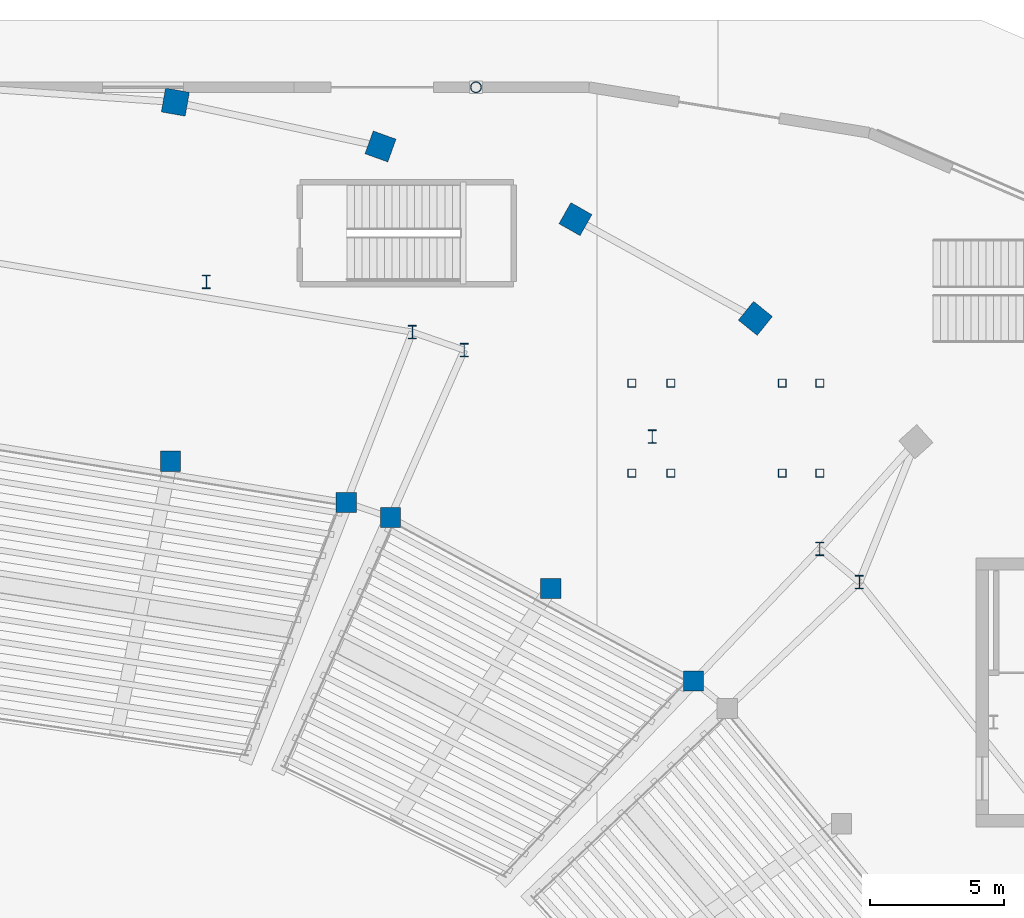
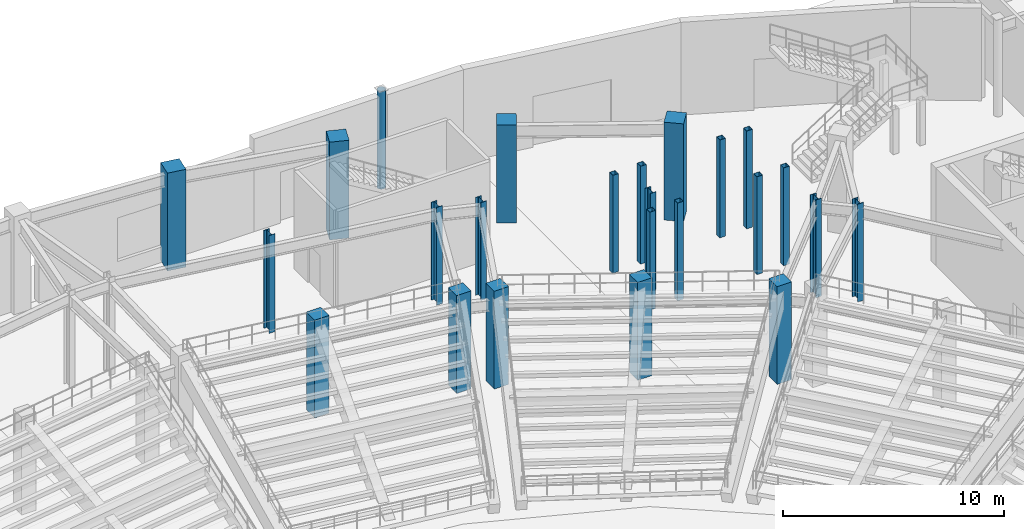
# One storey, part 15 of 79: 24 columns.
"""IFC4 building model written with IfcOpenShell, lengths in metres."""

from ifc_helpers import new_model, si_unit, direction, frame, origin, origin_2d, place, context, subcontext, project, spatial, rectangle, hollow_rectangle, hollow_circle, i_section, extrude, material, material_profile, profile_set, type_object, element, save


model = new_model("IFC4")

# Units and contexts
model_context = context("Model", 3, precision=1e-05, world=origin(), true_north=direction((0.0, 1.0)))
body_context = subcontext(model_context, "Body", "Model", "MODEL_VIEW")
ifc_project = project(units=[si_unit("LENGTHUNIT", "METRE"), si_unit("AREAUNIT", "SQUARE_METRE"), si_unit("VOLUMEUNIT", "CUBIC_METRE"), si_unit("PLANEANGLEUNIT", "RADIAN"), si_unit("MASSUNIT", "GRAM", prefix="KILO")], contexts=[model_context])

# Site, building, storey
site_placement = place(None, origin())
site = spatial("IfcSite", under=ifc_project, at=site_placement, CompositionType="ELEMENT")
building_placement = place(site_placement, origin())
building = spatial("IfcBuilding", under=site, at=building_placement, Name="Glasvene Arena", CompositionType="ELEMENT")
storey_placement = place(building_placement, origin())
storey = spatial("IfcBuildingStorey", under=building, at=storey_placement, Name="L00", CompositionType="ELEMENT", Elevation=0.0)

# Columns
ifc_material_1 = material(Name="Concrete C40/50", Category="concrete")
ifc_material_profile_1 = material_profile(ifc_material_1, rectangle(XDim=0.89990234375, YDim=0.89990234375, at=origin_2d()), Name="RC 900x900")
ifc_profile_set_1 = profile_set([ifc_material_profile_1], Name="Concrete C40/50")
column_type_1 = type_object("IfcColumnType", Name="COL-BOWL-RC900", PredefinedType="COLUMN", material=ifc_profile_set_1)
for number, where, z_axis, x_axis, name in (
    (1, (121.389404296875, 109.40576171875, 0.0), (0.0, 0.0, 1.0), (0.628098877137, 0.778133536444, 0.0), "Bowl ring column R07 L00"),
    (2, (114.699462890625, 113.09521484375, 0.0), (0.0, 0.0, 1.0), (0.492727341548, 0.87018375467, 0.0), "Bowl ring column R08 L00"),
    (3, (107.45068359375, 115.797607421875, 0.0), (0.0, 0.0, 1.0), (0.339558864524, 0.94058480613, 0.0), "Bowl ring column R09 L00"),
    (4, (99.82177734375, 117.446044921875, 0.0), (0.0, 0.0, 1.0), (0.173304404339, 0.984868307662, 0.0), "Bowl ring column R10 L00"),
):
    element("IfcColumn", number, at=place(storey_placement, frame(where, z_axis=z_axis, x_axis=x_axis)), inside=storey, type_object=column_type_1, Name=name, PredefinedType="COLUMN", context=body_context, shape_type="SweptSolid", body=[
        extrude(rectangle(XDim=0.89990234375, YDim=0.89990234375, at=origin_2d()), origin(), (0.0, 0.0, 1.0), 5.39990234375),
    ])
ifc_material_profile_2 = material_profile(ifc_material_1, rectangle(XDim=0.75, YDim=0.75, at=origin_2d()), Name="RC 750x750")
ifc_profile_set_2 = profile_set([ifc_material_profile_2], Name="Concrete C40/50")
column_type_2 = type_object("IfcColumnType", Name="COL-MID-RC750", PredefinedType="COLUMN", material=ifc_profile_set_2)
for number, where, z_axis, x_axis, name in (
    (5, (119.08251953125, 95.918212890625, 0.0), (0.0, 0.0, 1.0), (1.0, 0.0, 0.0), "Mid-bowl fulcrum column L00 03-1"),
    (6, (107.819091796875, 102.004150390625, 0.0), (0.0, 0.0, 1.0), (1.0, 0.0, 0.0), "Mid-bowl fulcrum column L00 03-2"),
    (7, (106.17578125, 102.5546875, 0.0), (0.0, 0.0, 1.0), (1.0, 0.0, 0.0), "Mid-bowl fulcrum column L00 04-1"),
    (8, (113.7783203125, 99.357666015625, 0.0), (0.0, 0.0, 1.0), (1.0, 0.0, 0.0), "Mid-sector fulcrum column L00 03"),
    (9, (99.6474609375, 104.0908203125, 0.0), (0.0, 0.0, 1.0), (1.0, 0.0, 0.0), "Mid-sector fulcrum column L00 04"),
):
    element("IfcColumn", number, at=place(storey_placement, frame(where, z_axis=z_axis, x_axis=x_axis)), inside=storey, type_object=column_type_2, Name=name, PredefinedType="COLUMN", context=body_context, shape_type="SweptSolid", body=[
        extrude(rectangle(XDim=0.75, YDim=0.75, at=origin_2d()), origin(), (0.0, 0.0, 1.0), 5.39990234375),
    ])
ifc_material_2 = material(Name="Steel S355J2", Category="steel")
ifc_material_profile_3 = material_profile(ifc_material_2, hollow_circle(Radius=0.203125, WallThickness=0.01611328125, at=origin_2d()), Name="CHS 406.4x16.0")
ifc_profile_set_3 = profile_set([ifc_material_profile_3], Name="Steel S355J2")
column_type_3 = type_object("IfcColumnType", Name="COL-W-CHS406", PredefinedType="COLUMN", material=ifc_profile_set_3)
column_placement = place(storey_placement, frame((111.0, 118.0, 0.0), z_axis=(0.0, 0.0, 1.0), x_axis=(1.0, 0.0, 0.0)))
element("IfcColumn", 10, at=column_placement, inside=storey, type_object=column_type_3, Name="Grid column 13-14 L00", PredefinedType="COLUMN", context=body_context, shape_type="SweptSolid", body=[
    extrude(hollow_circle(Radius=0.203125, WallThickness=0.01611328125, at=origin_2d()), origin(), (0.0, 0.0, 1.0), 5.39990234375),
])
ifc_material_profile_4 = material_profile(ifc_material_2, i_section(OverallWidth=0.300048828125, OverallDepth=0.5, WebThickness=0.014404296875, FlangeThickness=0.028076171875, FilletRadius=0.027099609375, at=origin_2d()), Name="HEB 500")
ifc_profile_set_4 = profile_set([ifc_material_profile_4], Name="Steel S355J2")
column_type_4 = type_object("IfcColumnType", Name="COL-W-HEB500", PredefinedType="COLUMN", material=ifc_profile_set_4)
for number, where, z_axis, x_axis, name in (
    (11, (125.256591796875, 99.59912109375, 0.0), (0.0, 0.0, 1.0), (1.0, 0.0, 0.0), "Upper raker rear column L00 02-2"),
    (12, (123.780517578125, 100.834228515625, 0.0), (0.0, 0.0, 1.0), (1.0, 0.0, 0.0), "Upper raker rear column L00 03-1"),
    (13, (110.56298828125, 108.225830078125, 0.0), (0.0, 0.0, 1.0), (1.0, 0.0, 0.0), "Upper raker rear column L00 03-2"),
    (14, (108.634765625, 108.89453125, 0.0), (0.0, 0.0, 1.0), (1.0, 0.0, 0.0), "Upper raker rear column L00 04-1"),
    (15, (117.55615234375, 105.01171875, 0.0), (0.0, 0.0, 1.0), (1.0, 0.0, 0.0), "Mid-sector rear raker column L00 03"),
    (16, (100.97412109375, 110.76025390625, 0.0), (0.0, 0.0, 1.0), (1.0, 0.0, 0.0), "Mid-sector rear raker column L00 04"),
):
    element("IfcColumn", number, at=place(storey_placement, frame(where, z_axis=z_axis, x_axis=x_axis)), inside=storey, type_object=column_type_4, Name=name, PredefinedType="COLUMN", context=body_context, shape_type="SweptSolid", body=[
        extrude(i_section(OverallWidth=0.300048828125, OverallDepth=0.5, WebThickness=0.014404296875, FlangeThickness=0.028076171875, FilletRadius=0.027099609375, at=origin_2d()), origin(), (0.0, 0.0, 1.0), 5.39990234375),
    ])
ifc_material_profile_5 = material_profile(ifc_material_2, hollow_rectangle(XDim=0.300048828125, YDim=0.300048828125, WallThickness=0.012451171875, at=origin_2d()), Name="SHS 300x300x12.5")
ifc_profile_set_5 = profile_set([ifc_material_profile_5], Name="Steel S355J2")
column_type_5 = type_object("IfcColumnType", Name="COL-W-SHS300", PredefinedType="COLUMN", material=ifc_profile_set_5)
for number, where, z_axis, x_axis, name in (
    (17, (116.800048828125, 103.64990234375, 0.0), (0.0, 0.0, 1.0), (1.0, 0.0, 0.0), "Vomitory arrival support column VOM-08 L00"),
    (18, (116.800048828125, 107.0, 0.0), (0.0, 0.0, 1.0), (1.0, 0.0, 0.0), "Vomitory arrival support column VOM-08 L00"),
    (19, (118.25, 103.64990234375, 0.0), (0.0, 0.0, 1.0), (1.0, 0.0, 0.0), "Vomitory arrival support column VOM-08 L00"),
    (20, (118.25, 107.0, 0.0), (0.0, 0.0, 1.0), (1.0, 0.0, 0.0), "Vomitory arrival support column VOM-08 L00"),
    (21, (122.389892578125, 103.64990234375, 0.0), (0.0, 0.0, 1.0), (1.0, 0.0, 0.0), "Vomitory landing column VOM-08 L00"),
    (22, (122.389892578125, 107.0, 0.0), (0.0, 0.0, 1.0), (1.0, 0.0, 0.0), "Vomitory landing column VOM-08 L00"),
    (23, (123.7900390625, 103.64990234375, 0.0), (0.0, 0.0, 1.0), (1.0, 0.0, 0.0), "Vomitory landing column VOM-08 L00"),
    (24, (123.7900390625, 107.0, 0.0), (0.0, 0.0, 1.0), (1.0, 0.0, 0.0), "Vomitory landing column VOM-08 L00"),
):
    element("IfcColumn", number, at=place(storey_placement, frame(where, z_axis=z_axis, x_axis=x_axis)), inside=storey, type_object=column_type_5, Name=name, PredefinedType="COLUMN", context=body_context, shape_type="SweptSolid", body=[
        extrude(hollow_rectangle(XDim=0.300048828125, YDim=0.300048828125, WallThickness=0.012451171875, at=origin_2d()), origin(), (0.0, 0.0, 1.0), 5.39990234375),
    ])

save(model, "model.ifc")
